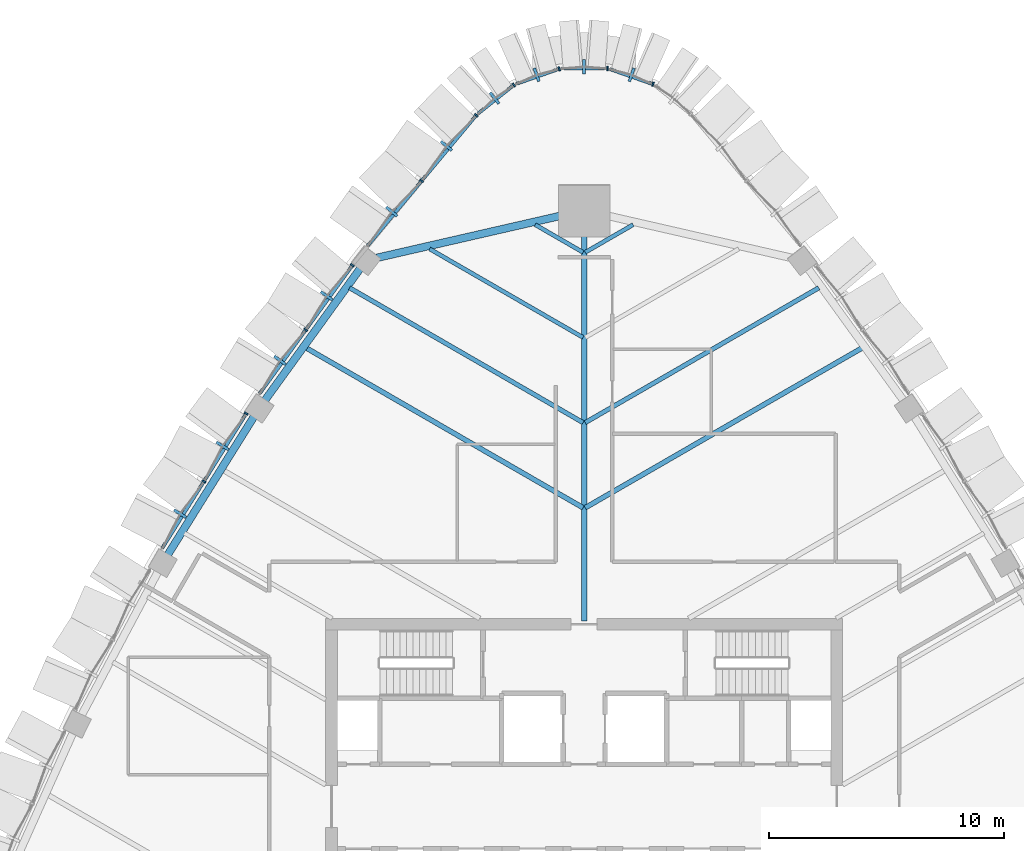
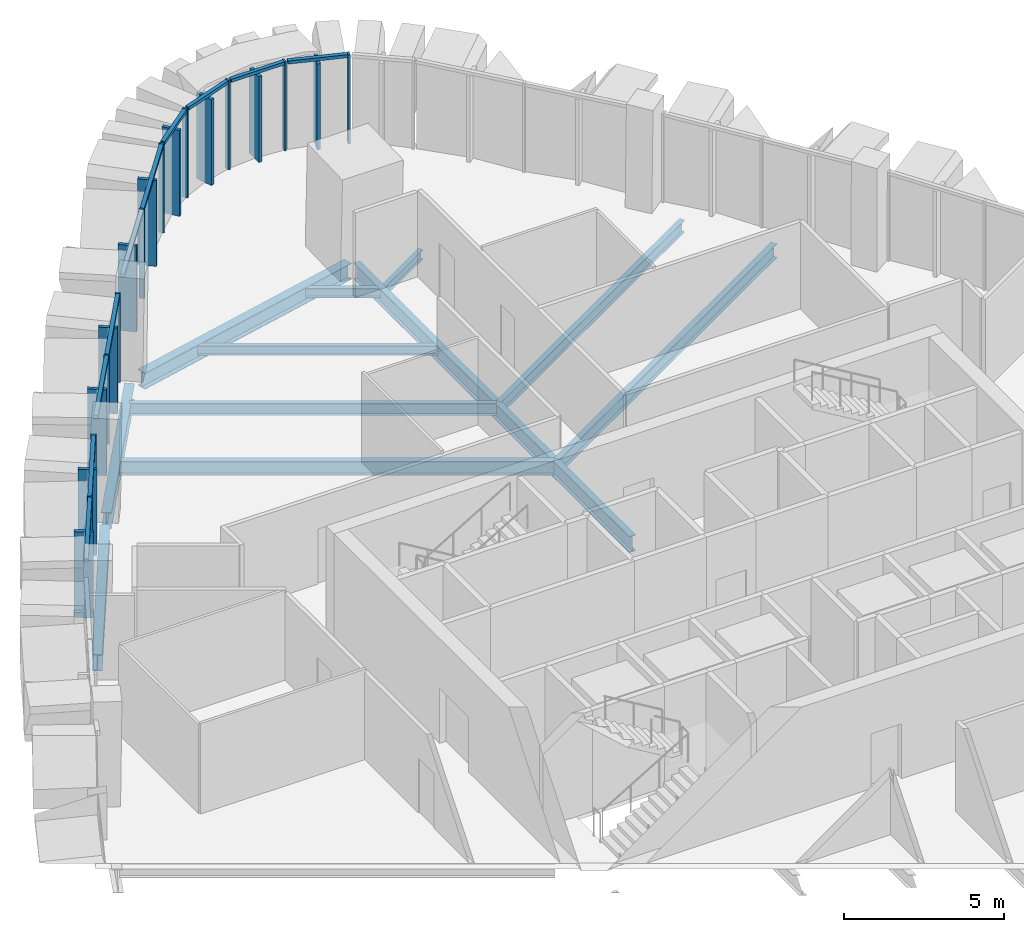
# One storey, part 7 of 22: 30 members, 11 beams, 7 elements without a shape of their own.
"""IFC4 building model written with IfcOpenShell, lengths in metres."""

from ifc_helpers import new_model, si_unit, direction, frame, origin, origin_2d, place, context, subcontext, project, spatial, rectangle, i_section, extrude, material, layer, layer_set, material_profile, profile_set, type_object, element, aggregate, save


model = new_model("IFC4")

# Units and contexts
model_context = context("Model", 3, precision=1e-05, world=origin(), true_north=direction((0.0, 1.0)))
body_context = subcontext(model_context, "Body", "Model", "MODEL_VIEW")
ifc_project = project(units=[si_unit("LENGTHUNIT", "METRE"), si_unit("AREAUNIT", "SQUARE_METRE"), si_unit("VOLUMEUNIT", "CUBIC_METRE"), si_unit("PLANEANGLEUNIT", "RADIAN"), si_unit("MASSUNIT", "GRAM", prefix="KILO")], contexts=[model_context])

# Site, building, storey
site_placement = place(None, origin())
site = spatial("IfcSite", under=ifc_project, at=site_placement, CompositionType="ELEMENT")
building_placement = place(site_placement, origin())
building = spatial("IfcBuilding", under=site, at=building_placement, Name="Sierra Prisma Convention Tower", CompositionType="ELEMENT")
storey_placement = place(building_placement, frame((0.0, 0.0, 243.0)))
storey = spatial("IfcBuildingStorey", under=building, at=storey_placement, Name="L54", CompositionType="ELEMENT", Elevation=243.0)

# Curtain wall, member
ifc_material_1 = material(Name="Aluminium and glass curtain wall", Category="aluminium")
ifc_layer = layer(ifc_material_1, 0.179931640625)
ifc_layer_set = layer_set([ifc_layer], Name="CW-2 Faceted crystal curtain wall")
curtain_wall_type = type_object("IfcCurtainWallType", Name="CW-2 Faceted crystal curtain wall", PredefinedType="NOTDEFINED", material=ifc_layer_set)
curtain_wall_1_placement = place(storey_placement, origin())
curtain_wall_1 = element("IfcCurtainWall", 1, at=curtain_wall_1_placement, inside=storey, type_object=curtain_wall_type, Name="CW-2 N2 L54", PredefinedType="NOTDEFINED")
ifc_material_2 = material(Name="Aluminium 6063-T6 bronze anodised", Category="aluminium")
ifc_material_profile_1 = material_profile(ifc_material_2, rectangle(XDim=0.1201171875, YDim=0.60009765625, at=origin_2d()), Name="ALU RIDGE BLADE 120x600")
ifc_profile_set_1 = profile_set([ifc_material_profile_1], Name="Aluminium 6063-T6 bronze anodised")
member_type_1 = type_object("IfcMemberType", Name="CW hip bronze", PredefinedType="MULLION", material=ifc_profile_set_1)
member_1_placement = place(storey_placement, frame((2.02001953125, 31.12109375, 0.0), z_axis=(0.0, 0.0, 1.0), x_axis=(-0.943772515235, 0.330595582981, 0.0)))
member_1 = element("IfcMember", 2, at=member_1_placement, type_object=member_type_1, Name="CW-2 ridge N2.1", PredefinedType="MULLION", context=body_context, shape_type="SweptSolid", body=[
    extrude(rectangle(XDim=0.1201171875, YDim=0.60009765625, at=origin_2d()), origin(), (0.0, 0.0, 1.0), 3.280029296875),
])

curtain_wall_2_placement = place(storey_placement, origin())
curtain_wall_2 = element("IfcCurtainWall", 3, at=curtain_wall_2_placement, inside=storey, type_object=curtain_wall_type, Name="CW-2 N3 L54", PredefinedType="NOTDEFINED")
member_2_placement = place(storey_placement, frame((0.0, 31.464599609375, 0.0), z_axis=(0.0, 0.0, 1.0), x_axis=(-1.0, 0.0, 0.0)))
member_2 = element("IfcMember", 4, at=member_2_placement, type_object=member_type_1, Name="CW-2 ridge N3.1", PredefinedType="MULLION", context=body_context, shape_type="SweptSolid", body=[
    extrude(rectangle(XDim=0.1201171875, YDim=0.60009765625, at=origin_2d()), origin(), (0.0, 0.0, 1.0), 3.280029296875),
])

curtain_wall_3_placement = place(storey_placement, origin())
curtain_wall_3 = element("IfcCurtainWall", 5, at=curtain_wall_3_placement, inside=storey, type_object=curtain_wall_type, Name="CW-2 N4 L54", PredefinedType="NOTDEFINED")
member_3_placement = place(storey_placement, frame((-2.02001953125, 31.12109375, 0.0), z_axis=(0.0, 0.0, 1.0), x_axis=(-0.943772515235, -0.330595582981, 0.0)))
member_3 = element("IfcMember", 6, at=member_3_placement, type_object=member_type_1, Name="CW-2 ridge N4.1", PredefinedType="MULLION", context=body_context, shape_type="SweptSolid", body=[
    extrude(rectangle(XDim=0.1201171875, YDim=0.60009765625, at=origin_2d()), origin(), (0.0, 0.0, 1.0), 3.280029296875),
])

curtain_wall_4_placement = place(storey_placement, origin())
curtain_wall_4 = element("IfcCurtainWall", 7, at=curtain_wall_4_placement, inside=storey, type_object=curtain_wall_type, Name="CW-2 N5 L54", PredefinedType="NOTDEFINED")
member_4_placement = place(storey_placement, frame((-3.812744140625, 30.12890625, 0.0), z_axis=(0.0, 0.0, 1.0), x_axis=(-0.781413121027, -0.624014049752, 0.0)))
member_4 = element("IfcMember", 8, at=member_4_placement, type_object=member_type_1, Name="CW-2 ridge N5.1", PredefinedType="MULLION", context=body_context, shape_type="SweptSolid", body=[
    extrude(rectangle(XDim=0.1201171875, YDim=0.60009765625, at=origin_2d()), origin(), (0.0, 0.0, 1.0), 3.280029296875),
])

# Curtain wall, members
curtain_wall_5_placement = place(storey_placement, origin())
curtain_wall_5 = element("IfcCurtainWall", 9, at=curtain_wall_5_placement, inside=storey, type_object=curtain_wall_type, Name="CW-2 NW1 L54", PredefinedType="NOTDEFINED")
member_5_placement = place(storey_placement, frame((-5.8603515625, 28.09619140625, 0.0), z_axis=(0.0, 0.0, 1.0), x_axis=(-0.639860230906, -0.768491304378, 0.0)))
member_5 = element("IfcMember", 10, at=member_5_placement, type_object=member_type_1, Name="CW-2 ridge NW1.1", PredefinedType="MULLION", context=body_context, shape_type="SweptSolid", body=[
    extrude(rectangle(XDim=0.1201171875, YDim=0.60009765625, at=origin_2d()), origin(), (0.0, 0.0, 1.0), 3.280029296875),
])
member_6_placement = place(storey_placement, frame((-8.185546875, 25.303955078125, 0.0), z_axis=(0.0, 0.0, 1.0), x_axis=(-0.639860230906, -0.768491304378, 0.0)))
member_6 = element("IfcMember", 11, at=member_6_placement, type_object=member_type_1, Name="CW-2 ridge NW1.2", PredefinedType="MULLION", context=body_context, shape_type="SweptSolid", body=[
    extrude(rectangle(XDim=0.1201171875, YDim=0.60009765625, at=origin_2d()), origin(), (0.0, 0.0, 1.0), 3.280029296875),
])

curtain_wall_6_placement = place(storey_placement, origin())
curtain_wall_6 = element("IfcCurtainWall", 12, at=curtain_wall_6_placement, inside=storey, type_object=curtain_wall_type, Name="CW-2 NW2 L54", PredefinedType="NOTDEFINED")
member_7_placement = place(storey_placement, frame((-10.95849609375, 21.720947265625, 0.0), z_axis=(0.0, 0.0, 1.0), x_axis=(-0.585931716812, -0.810360427979, 0.0)))
member_7 = element("IfcMember", 13, at=member_7_placement, type_object=member_type_1, Name="CW-2 ridge NW2.1", PredefinedType="MULLION", context=body_context, shape_type="SweptSolid", body=[
    extrude(rectangle(XDim=0.1201171875, YDim=0.60009765625, at=origin_2d()), origin(), (0.0, 0.0, 1.0), 3.280029296875),
])
member_8_placement = place(storey_placement, frame((-12.942626953125, 18.9765625, 0.0), z_axis=(0.0, 0.0, 1.0), x_axis=(-0.585931716812, -0.810360427979, 0.0)))
member_8 = element("IfcMember", 14, at=member_8_placement, type_object=member_type_1, Name="CW-2 ridge NW2.2", PredefinedType="MULLION", context=body_context, shape_type="SweptSolid", body=[
    extrude(rectangle(XDim=0.1201171875, YDim=0.60009765625, at=origin_2d()), origin(), (0.0, 0.0, 1.0), 3.280029296875),
])

curtain_wall_7_placement = place(storey_placement, origin())
curtain_wall_7 = element("IfcCurtainWall", 15, at=curtain_wall_7_placement, inside=storey, type_object=curtain_wall_type, Name="CW-2 NW3 L54", PredefinedType="NOTDEFINED")
member_9_placement = place(storey_placement, frame((-15.38818359375, 15.339111328125, 0.0), z_axis=(0.0, 0.0, 1.0), x_axis=(-0.529271994435, -0.848452211917, 0.0)))
member_9 = element("IfcMember", 16, at=member_9_placement, type_object=member_type_1, Name="CW-2 ridge NW3.1", PredefinedType="MULLION", context=body_context, shape_type="SweptSolid", body=[
    extrude(rectangle(XDim=0.1201171875, YDim=0.60009765625, at=origin_2d()), origin(), (0.0, 0.0, 1.0), 3.280029296875),
])
member_10_placement = place(storey_placement, frame((-17.18896484375, 12.4521484375, 0.0), z_axis=(0.0, 0.0, 1.0), x_axis=(-0.529271994435, -0.848452211917, 0.0)))
member_10 = element("IfcMember", 17, at=member_10_placement, type_object=member_type_1, Name="CW-2 ridge NW3.2", PredefinedType="MULLION", context=body_context, shape_type="SweptSolid", body=[
    extrude(rectangle(XDim=0.1201171875, YDim=0.60009765625, at=origin_2d()), origin(), (0.0, 0.0, 1.0), 3.280029296875),
])

# Member
ifc_material_3 = material(Name="Aluminium 6063-T6 bronze anodised", Category="aluminium")
ifc_material_profile_2 = material_profile(ifc_material_3, rectangle(XDim=0.179931640625, YDim=0.070068359375, at=origin_2d()), Name="ALU MULLION 70x180")
ifc_profile_set_2 = profile_set([ifc_material_profile_2], Name="Aluminium 6063-T6 bronze anodised")
member_type_2 = type_object("IfcMemberType", Name="CW mullion bronze", PredefinedType="MULLION", material=ifc_profile_set_2)
member_11_placement = place(storey_placement, frame((2.9306640625, 30.72216796875, 0.0), z_axis=(0.0, 0.0, 1.0), x_axis=(-0.330595582981, -0.943772515235, 0.0)))
member_11 = element("IfcMember", 18, at=member_11_placement, type_object=member_type_2, Name="CW-1 mullion N2.1", PredefinedType="MULLION", context=body_context, shape_type="SweptSolid", body=[
    extrude(rectangle(XDim=0.179931640625, YDim=0.070068359375, at=origin_2d()), origin(), (0.0, 0.0, 1.0), 3.39990234375),
])

member_12_placement = place(storey_placement, frame((0.991455078125, 31.38916015625, 0.0), z_axis=(0.0, 0.0, 1.0), x_axis=(0.0, -1.0, 0.0)))
member_12 = element("IfcMember", 19, at=member_12_placement, type_object=member_type_2, Name="CW-1 mullion N3.1", PredefinedType="MULLION", context=body_context, shape_type="SweptSolid", body=[
    extrude(rectangle(XDim=0.179931640625, YDim=0.070068359375, at=origin_2d()), origin(), (0.0, 0.0, 1.0), 3.39990234375),
])

member_13_placement = place(storey_placement, frame((-1.059326171875, 31.377685546875, 0.0), z_axis=(0.0, 0.0, 1.0), x_axis=(0.330595582981, -0.943772515235, 0.0)))
member_13 = element("IfcMember", 20, at=member_13_placement, type_object=member_type_2, Name="CW-1 mullion N4.1", PredefinedType="MULLION", context=body_context, shape_type="SweptSolid", body=[
    extrude(rectangle(XDim=0.179931640625, YDim=0.070068359375, at=origin_2d()), origin(), (0.0, 0.0, 1.0), 3.39990234375),
])

member_14_placement = place(storey_placement, frame((-2.9912109375, 30.688720703125, 0.0), z_axis=(0.0, 0.0, 1.0), x_axis=(0.624014049752, -0.781413121027, 0.0)))
member_14 = element("IfcMember", 21, at=member_14_placement, type_object=member_type_2, Name="CW-1 mullion N5.1", PredefinedType="MULLION", context=body_context, shape_type="SweptSolid", body=[
    extrude(rectangle(XDim=0.179931640625, YDim=0.070068359375, at=origin_2d()), origin(), (0.0, 0.0, 1.0), 3.39990234375),
])

member_15_placement = place(storey_placement, frame((-4.590087890625, 29.40283203125, 0.0), z_axis=(0.0, 0.0, 1.0), x_axis=(0.768491304378, -0.639860230906, 0.0)))
member_15 = element("IfcMember", 22, at=member_15_placement, type_object=member_type_2, Name="CW-1 mullion NW1.1", PredefinedType="MULLION", context=body_context, shape_type="SweptSolid", body=[
    extrude(rectangle(XDim=0.179931640625, YDim=0.070068359375, at=origin_2d()), origin(), (0.0, 0.0, 1.0), 3.39990234375),
])

member_16_placement = place(storey_placement, frame((-6.915283203125, 26.6103515625, 0.0), z_axis=(0.0, 0.0, 1.0), x_axis=(0.768491304378, -0.639860230906, 0.0)))
member_16 = element("IfcMember", 23, at=member_16_placement, type_object=member_type_2, Name="CW-1 mullion NW1.2", PredefinedType="MULLION", context=body_context, shape_type="SweptSolid", body=[
    extrude(rectangle(XDim=0.179931640625, YDim=0.070068359375, at=origin_2d()), origin(), (0.0, 0.0, 1.0), 3.39990234375),
])

member_17_placement = place(storey_placement, frame((-9.860595703125, 23.0166015625, 0.0), z_axis=(0.0, 0.0, 1.0), x_axis=(0.810360427979, -0.585931716812, 0.0)))
member_17 = element("IfcMember", 24, at=member_17_placement, type_object=member_type_2, Name="CW-1 mullion NW2.1", PredefinedType="MULLION", context=body_context, shape_type="SweptSolid", body=[
    extrude(rectangle(XDim=0.179931640625, YDim=0.070068359375, at=origin_2d()), origin(), (0.0, 0.0, 1.0), 3.39990234375),
])

member_18_placement = place(storey_placement, frame((-11.8447265625, 20.272216796875, 0.0), z_axis=(0.0, 0.0, 1.0), x_axis=(0.810360427979, -0.585931716812, 0.0)))
member_18 = element("IfcMember", 25, at=member_18_placement, type_object=member_type_2, Name="CW-1 mullion NW2.2", PredefinedType="MULLION", context=body_context, shape_type="SweptSolid", body=[
    extrude(rectangle(XDim=0.179931640625, YDim=0.070068359375, at=origin_2d()), origin(), (0.0, 0.0, 1.0), 3.39990234375),
])

member_19_placement = place(storey_placement, frame((-14.37646484375, 16.713134765625, 0.0), z_axis=(0.0, 0.0, 1.0), x_axis=(0.848452211917, -0.529271994435, 0.0)))
member_19 = element("IfcMember", 26, at=member_19_placement, type_object=member_type_2, Name="CW-1 mullion NW3.1", PredefinedType="MULLION", context=body_context, shape_type="SweptSolid", body=[
    extrude(rectangle(XDim=0.179931640625, YDim=0.070068359375, at=origin_2d()), origin(), (0.0, 0.0, 1.0), 3.39990234375),
])

member_20_placement = place(storey_placement, frame((-16.17724609375, 13.826171875, 0.0), z_axis=(0.0, 0.0, 1.0), x_axis=(0.848452211917, -0.529271994435, 0.0)))
member_20 = element("IfcMember", 27, at=member_20_placement, type_object=member_type_2, Name="CW-1 mullion NW3.2", PredefinedType="MULLION", context=body_context, shape_type="SweptSolid", body=[
    extrude(rectangle(XDim=0.179931640625, YDim=0.070068359375, at=origin_2d()), origin(), (0.0, 0.0, 1.0), 3.39990234375),
])

ifc_material_4 = material(Name="Aluminium 6063-T6 bronze anodised", Category="aluminium")
ifc_material_profile_3 = material_profile(ifc_material_4, rectangle(XDim=0.139892578125, YDim=0.1201171875, at=origin_2d()), Name="ALU TRANSOM 120x140")
ifc_profile_set_3 = profile_set([ifc_material_profile_3], Name="Aluminium 6063-T6 bronze anodised")
member_type_3 = type_object("IfcMemberType", Name="CW transom bronze", PredefinedType="USERDEFINED", material=ifc_profile_set_3)
member_21_placement = place(storey_placement, frame((2.897705078125, 30.73388671875, 3.340087890625), z_axis=(-0.943774748559, 0.330589207299, 0.0), x_axis=(-0.330589207299, -0.943774748559, 0.0)))
member_21 = element("IfcMember", 28, at=member_21_placement, type_object=member_type_3, Name="CW-1 transom N2.1", ObjectType="TRANSOM", PredefinedType="USERDEFINED", context=body_context, shape_type="SweptSolid", body=[
    extrude(rectangle(XDim=0.139892578125, YDim=0.1201171875, at=origin_2d()), origin(), (0.0, 0.0, 1.0), 1.91259765625),
])

aggregate(curtain_wall_1, [member_11, member_21, member_1])

member_22_placement = place(storey_placement, frame((0.956298828125, 31.38916015625, 3.340087890625), z_axis=(-1.0, 0.0, 0.0), x_axis=(0.0, -1.0, 0.0)))
member_22 = element("IfcMember", 29, at=member_22_placement, type_object=member_type_3, Name="CW-1 transom N3.1", ObjectType="TRANSOM", PredefinedType="USERDEFINED", context=body_context, shape_type="SweptSolid", body=[
    extrude(rectangle(XDim=0.139892578125, YDim=0.1201171875, at=origin_2d()), origin(), (0.0, 0.0, 1.0), 1.91259765625),
])

aggregate(curtain_wall_2, [member_12, member_22, member_2])

member_23_placement = place(storey_placement, frame((-1.092529296875, 31.3662109375, 3.340087890625), z_axis=(-0.943774748559, -0.330589207299, 0.0), x_axis=(0.330589207299, -0.943774748559, 0.0)))
member_23 = element("IfcMember", 30, at=member_23_placement, type_object=member_type_3, Name="CW-1 transom N4.1", ObjectType="TRANSOM", PredefinedType="USERDEFINED", context=body_context, shape_type="SweptSolid", body=[
    extrude(rectangle(XDim=0.139892578125, YDim=0.1201171875, at=origin_2d()), origin(), (0.0, 0.0, 1.0), 1.91259765625),
])

aggregate(curtain_wall_3, [member_13, member_23, member_3])

member_24_placement = place(storey_placement, frame((-3.0185546875, 30.6669921875, 3.340087890625), z_axis=(-0.781403982403, -0.624025493297, 0.0), x_axis=(0.624025493297, -0.781403982403, 0.0)))
member_24 = element("IfcMember", 31, at=member_24_placement, type_object=member_type_3, Name="CW-1 transom N5.1", ObjectType="TRANSOM", PredefinedType="USERDEFINED", context=body_context, shape_type="SweptSolid", body=[
    extrude(rectangle(XDim=0.139892578125, YDim=0.1201171875, at=origin_2d()), origin(), (0.0, 0.0, 1.0), 1.912841796875),
])

aggregate(curtain_wall_4, [member_14, member_24, member_4])

member_25_placement = place(storey_placement, frame((-4.612548828125, 29.3759765625, 3.340087890625), z_axis=(-0.639847422616, -0.768501968619, 0.0), x_axis=(0.768501968619, -0.639847422616, 0.0)))
member_25 = element("IfcMember", 32, at=member_25_placement, type_object=member_type_3, Name="CW-1 transom NW1.1", ObjectType="TRANSOM", PredefinedType="USERDEFINED", context=body_context, shape_type="SweptSolid", body=[
    extrude(rectangle(XDim=0.139892578125, YDim=0.1201171875, at=origin_2d()), origin(), (0.0, 0.0, 1.0), 3.563720703125),
])

member_26_placement = place(storey_placement, frame((-6.9375, 26.58349609375, 3.340087890625), z_axis=(-0.639881109892, -0.768473919664, 0.0), x_axis=(0.768473919664, -0.639881109892, 0.0)))
member_26 = element("IfcMember", 33, at=member_26_placement, type_object=member_type_3, Name="CW-1 transom NW1.2", ObjectType="TRANSOM", PredefinedType="USERDEFINED", context=body_context, shape_type="SweptSolid", body=[
    extrude(rectangle(XDim=0.139892578125, YDim=0.1201171875, at=origin_2d()), origin(), (0.0, 0.0, 1.0), 3.5634765625),
])

aggregate(curtain_wall_5, [member_15, member_16, member_25, member_5, member_26, member_6])

member_27_placement = place(storey_placement, frame((-9.881103515625, 22.98828125, 3.340087890625), z_axis=(-0.585880198304, -0.810397675981, 0.0), x_axis=(0.810397675981, -0.585880198304, 0.0)))
member_27 = element("IfcMember", 34, at=member_27_placement, type_object=member_type_3, Name="CW-1 transom NW2.1", ObjectType="TRANSOM", PredefinedType="USERDEFINED", context=body_context, shape_type="SweptSolid", body=[
    extrude(rectangle(XDim=0.139892578125, YDim=0.1201171875, at=origin_2d()), origin(), (0.0, 0.0, 1.0), 3.316650390625),
])

member_28_placement = place(storey_placement, frame((-11.865234375, 20.243896484375, 3.340087890625), z_axis=(-0.585963491859, -0.810337452058, 0.0), x_axis=(0.810337452058, -0.585963491859, 0.0)))
member_28 = element("IfcMember", 35, at=member_28_placement, type_object=member_type_3, Name="CW-1 transom NW2.2", ObjectType="TRANSOM", PredefinedType="USERDEFINED", context=body_context, shape_type="SweptSolid", body=[
    extrude(rectangle(XDim=0.139892578125, YDim=0.1201171875, at=origin_2d()), origin(), (0.0, 0.0, 1.0), 3.31640625),
])

aggregate(curtain_wall_6, [member_17, member_18, member_27, member_7, member_28, member_8])

member_29_placement = place(storey_placement, frame((-14.39501953125, 16.683349609375, 3.340087890625), z_axis=(-0.529254577665, -0.848463076404, 0.0), x_axis=(0.848463076404, -0.529254577665, 0.0)))
member_29 = element("IfcMember", 36, at=member_29_placement, type_object=member_type_3, Name="CW-1 transom NW3.1", ObjectType="TRANSOM", PredefinedType="USERDEFINED", context=body_context, shape_type="SweptSolid", body=[
    extrude(rectangle(XDim=0.139892578125, YDim=0.1201171875, at=origin_2d()), origin(), (0.0, 0.0, 1.0), 3.332275390625),
])

member_30_placement = place(storey_placement, frame((-16.19580078125, 13.79638671875, 3.340087890625), z_axis=(-0.529254577665, -0.848463076404, 0.0), x_axis=(0.848463076404, -0.529254577665, 0.0)))
member_30 = element("IfcMember", 37, at=member_30_placement, type_object=member_type_3, Name="CW-1 transom NW3.2", ObjectType="TRANSOM", PredefinedType="USERDEFINED", context=body_context, shape_type="SweptSolid", body=[
    extrude(rectangle(XDim=0.139892578125, YDim=0.1201171875, at=origin_2d()), origin(), (0.0, 0.0, 1.0), 3.332275390625),
])

aggregate(curtain_wall_7, [member_19, member_20, member_29, member_9, member_30, member_10])

# Beams
ifc_material_5 = material(Name="Steel ASTM A992 Gr 50", Category="steel")
ifc_material_profile_4 = material_profile(ifc_material_5, i_section(OverallWidth=0.172119140625, OverallDepth=0.35791015625, WebThickness=0.0078125, FlangeThickness=0.01318359375, at=origin_2d()), Name="W360x57")
ifc_profile_set_4 = profile_set([ifc_material_profile_4], Name="Steel ASTM A992 Gr 50")
beam_type_1 = type_object("IfcBeamType", Name="Floor joist W360x57", PredefinedType="JOIST", material=ifc_profile_set_4)
for number, where, z_axis, x_axis, name in (
    (38, (2.08251953125, 24.745849609375, -0.3291015625), (-0.866036909293, -0.499980071345, 0.0), (0.499980071345, -0.866036909293, 0.0), "Floor joist L54 NE14"),
    (39, (-2.08251953125, 24.745849609375, -0.3291015625), (0.866036909293, -0.499980071345, 0.0), (0.499980071345, 0.866036909293, 0.0), "Floor joist L54 NW01"),
):
    element("IfcBeam", number, at=place(storey_placement, frame(where, z_axis=z_axis, x_axis=x_axis)), inside=storey, type_object=beam_type_1, Name=name, PredefinedType="JOIST", context=body_context, shape_type="SweptSolid", body=[
        extrude(i_section(OverallWidth=0.172119140625, OverallDepth=0.35791015625, WebThickness=0.0078125, FlangeThickness=0.01318359375, at=origin_2d()), origin(), (0.0, 0.0, 1.0), 2.3515625),
    ])
beam_1_placement = place(storey_placement, frame((-6.574462890625, 23.717041015625, -0.3291015625), z_axis=(0.866038354985, -0.499977567191, 0.0), x_axis=(0.499977567191, 0.866038354985, 0.0)))
element("IfcBeam", 40, at=beam_1_placement, inside=storey, type_object=beam_type_1, Name="Floor joist L54 NW02", PredefinedType="JOIST", context=body_context, shape_type="SweptSolid", body=[
    extrude(i_section(OverallWidth=0.172119140625, OverallDepth=0.35791015625, WebThickness=0.0078125, FlangeThickness=0.01318359375, at=origin_2d()), origin(), (0.0, 0.0, 1.0), 7.538330078125),
])
ifc_material_6 = material(Name="Steel ASTM A992 Gr 50", Category="steel")
ifc_material_profile_5 = material_profile(ifc_material_6, i_section(OverallWidth=0.18994140625, OverallDepth=0.45703125, WebThickness=0.009033203125, FlangeThickness=0.014404296875, at=origin_2d()), Name="W460x74")
ifc_profile_set_5 = profile_set([ifc_material_profile_5], Name="Steel ASTM A992 Gr 50")
beam_type_2 = type_object("IfcBeamType", Name="Floor joist W460x74", PredefinedType="JOIST", material=ifc_profile_set_5)
for number, where, z_axis, x_axis, name in (
    (41, (9.980224609375, 22.0615234375, -0.37841796875), (-0.866025033342, -0.500000641624, 0.0), (0.500000641624, -0.866025033342, 0.0), "Floor joist L54 NE12"),
    (42, (-9.980224609375, 22.0615234375, -0.37841796875), (0.866025033342, -0.500000641624, 0.0), (0.500000641624, 0.866025033342, 0.0), "Floor joist L54 NW03"),
):
    element("IfcBeam", number, at=place(storey_placement, frame(where, z_axis=z_axis, x_axis=x_axis)), inside=storey, type_object=beam_type_2, Name=name, PredefinedType="JOIST", context=body_context, shape_type="SweptSolid", body=[
        extrude(i_section(OverallWidth=0.18994140625, OverallDepth=0.45703125, WebThickness=0.009033203125, FlangeThickness=0.014404296875, at=origin_2d()), origin(), (0.0, 0.0, 1.0), 11.47119140625),
    ])
ifc_material_7 = material(Name="Steel ASTM A992 Gr 50", Category="steel")
ifc_material_profile_6 = material_profile(ifc_material_7, i_section(OverallWidth=0.208984375, OverallDepth=0.532958984375, WebThickness=0.01025390625, FlangeThickness=0.015625, at=origin_2d()), Name="W530x92")
ifc_profile_set_6 = profile_set([ifc_material_profile_6], Name="Steel ASTM A992 Gr 50")
beam_type_3 = type_object("IfcBeamType", Name="Floor joist W530x92", PredefinedType="JOIST", material=ifc_profile_set_6)
for number, where, z_axis, x_axis, name in (
    (43, (11.827880859375, 19.506103515625, -0.41650390625), (-0.866028097377, -0.499995334531, 0.0), (0.499995334531, -0.866028097377, 0.0), "Floor joist L54 NE11"),
    (44, (-11.827880859375, 19.506103515625, -0.41650390625), (0.866028097377, -0.499995334531, 0.0), (0.499995334531, 0.866028097377, 0.0), "Floor joist L54 NW04"),
):
    element("IfcBeam", number, at=place(storey_placement, frame(where, z_axis=z_axis, x_axis=x_axis)), inside=storey, type_object=beam_type_3, Name=name, PredefinedType="JOIST", context=body_context, shape_type="SweptSolid", body=[
        extrude(i_section(OverallWidth=0.208984375, OverallDepth=0.532958984375, WebThickness=0.01025390625, FlangeThickness=0.015625, at=origin_2d()), origin(), (0.0, 0.0, 1.0), 13.604736328125),
    ])
ifc_material_8 = material(Name="Steel ASTM A992 Gr 50", Category="steel")
ifc_material_profile_7 = material_profile(ifc_material_8, i_section(OverallWidth=0.22998046875, OverallDepth=0.616943359375, WebThickness=0.01318359375, FlangeThickness=0.022216796875, at=origin_2d()), Name="W610x140")
ifc_profile_set_7 = profile_set([ifc_material_profile_7], Name="Steel ASTM A992 Gr 50")
beam_type_4 = type_object("IfcBeamType", Name="Radial girder W610x140", PredefinedType="BEAM", material=ifc_profile_set_7)
beam_2_placement = place(storey_placement, frame((0.0, 25.134521484375, -0.45849609375), z_axis=(0.0, -1.0, 0.0), x_axis=(1.0, 0.0, 0.0)))
element("IfcBeam", 45, at=beam_2_placement, inside=storey, type_object=beam_type_4, Name="Radial girder L54 N", PredefinedType="BEAM", context=body_context, shape_type="SweptSolid", body=[
    extrude(i_section(OverallWidth=0.22998046875, OverallDepth=0.616943359375, WebThickness=0.01318359375, FlangeThickness=0.022216796875, at=origin_2d()), origin(), (0.0, 0.0, 1.0), 17.254638671875),
])
ifc_material_9 = material(Name="Steel ASTM A992 Gr 50", Category="steel")
ifc_material_profile_8 = material_profile(ifc_material_9, i_section(OverallWidth=0.324951171875, OverallDepth=0.615966796875, WebThickness=0.013916015625, FlangeThickness=0.021484375, at=origin_2d()), Name="W610x174")
ifc_profile_set_8 = profile_set([ifc_material_profile_8], Name="Steel ASTM A992 Gr 50")
beam_type_5 = type_object("IfcBeamType", Name="Spandrel beam W610x174", PredefinedType="BEAM", material=ifc_profile_set_8)
beam_3_placement = place(storey_placement, frame((-0.219970703125, 25.30419921875, -0.4580078125), z_axis=(-0.974765554858, -0.223231075483, 0.0), x_axis=(0.223231075483, -0.974765554858, 0.0)))
element("IfcBeam", 46, at=beam_3_placement, inside=storey, type_object=beam_type_5, Name="Spandrel L54-13", PredefinedType="BEAM", context=body_context, shape_type="SweptSolid", body=[
    extrude(i_section(OverallWidth=0.324951171875, OverallDepth=0.615966796875, WebThickness=0.013916015625, FlangeThickness=0.021484375, at=origin_2d()), origin(), (0.0, 0.0, 1.0), 8.826904296875),
])
for number, where, z_axis, x_axis, name in (
    (47, (-9.467529296875, 22.963134765625, -0.4580078125), (-0.585939740331, -0.810354626506, 0.0), (0.810354626506, -0.585939740331, 0.0), "Spandrel L54-14"),
    (48, (-13.99755859375, 16.659423828125, -0.4580078125), (-0.529269581106, -0.848453717368, 0.0), (0.848453717368, -0.529269581106, 0.0), "Spandrel L54-15"),
):
    element("IfcBeam", number, at=place(storey_placement, frame(where, z_axis=z_axis, x_axis=x_axis)), inside=storey, type_object=beam_type_5, Name=name, PredefinedType="BEAM", context=body_context, shape_type="SweptSolid", body=[
        extrude(i_section(OverallWidth=0.324951171875, OverallDepth=0.615966796875, WebThickness=0.013916015625, FlangeThickness=0.021484375, at=origin_2d()), origin(), (0.0, 0.0, 1.0), 7.102783203125),
    ])

save(model, "model.ifc")
